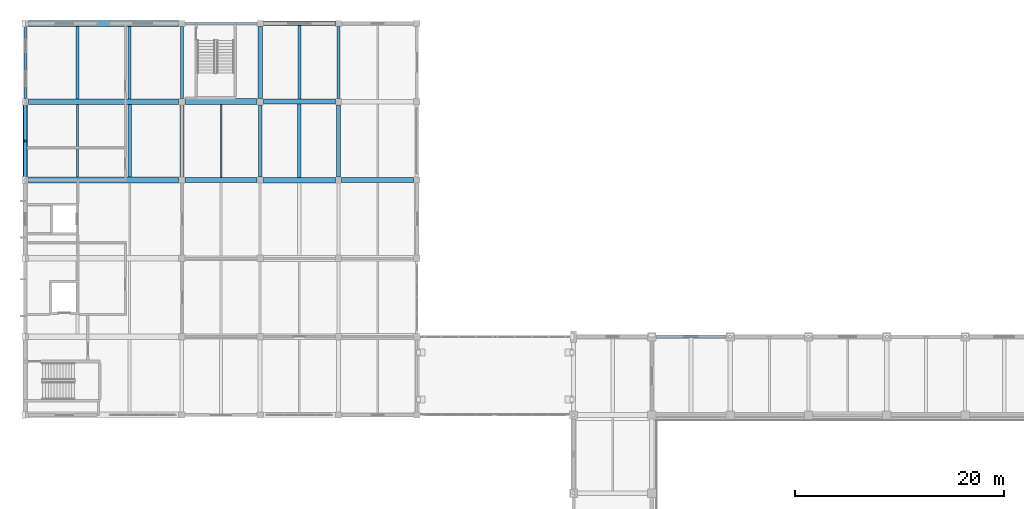
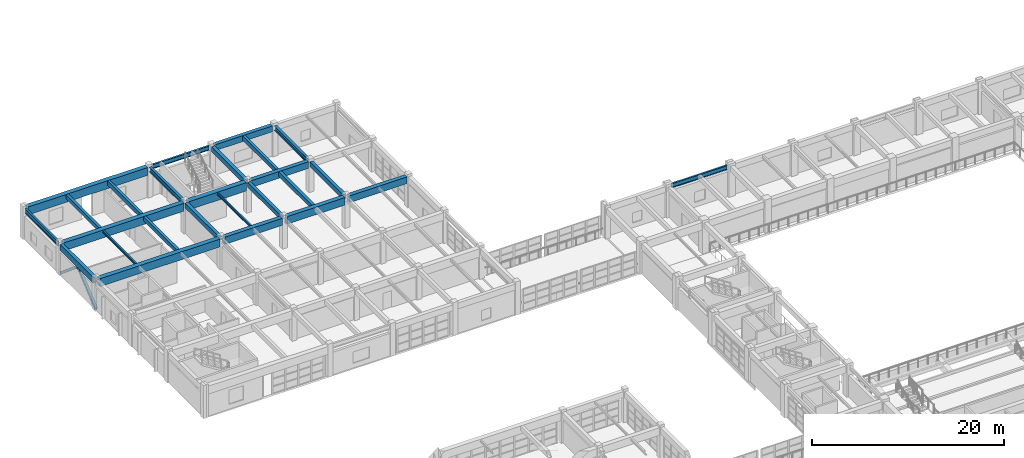
# One storey, part 50 of 124: 26 beams, 2 members.
"""IFC4 building model written with IfcOpenShell, lengths in metres."""

from ifc_helpers import new_model, si_unit, direction, frame, origin, origin_2d, place, context, subcontext, project, spatial, rectangle, i_section, extrude, material, material_profile, profile_set, type_object, element, save


model = new_model("IFC4")

# Units and contexts
model_context = context("Model", 3, precision=1e-05, world=origin(), true_north=direction((0.0, 1.0)))
body_context = subcontext(model_context, "Body", "Model", "MODEL_VIEW")
ifc_project = project(units=[si_unit("LENGTHUNIT", "METRE"), si_unit("AREAUNIT", "SQUARE_METRE"), si_unit("VOLUMEUNIT", "CUBIC_METRE"), si_unit("PLANEANGLEUNIT", "RADIAN"), si_unit("MASSUNIT", "GRAM", prefix="KILO")], contexts=[model_context])

# Site, building, storey
site_placement = place(None, origin())
site = spatial("IfcSite", under=ifc_project, at=site_placement, CompositionType="ELEMENT")
building_placement = place(site_placement, origin())
building = spatial("IfcBuilding", under=site, at=building_placement, Name="Qasida Concert Hall", CompositionType="ELEMENT")
storey_placement = place(building_placement, frame((0.0, 0.0, 9.0)))
storey = spatial("IfcBuildingStorey", under=building, at=storey_placement, Name="L02", CompositionType="ELEMENT", Elevation=9.0)

# Beams
ifc_material_1 = material(Name="Concrete C40/50", Category="concrete")
ifc_material_profile_1 = material_profile(ifc_material_1, rectangle(XDim=0.39990234375, YDim=0.64990234375, at=origin_2d()), Name="RC 400x650")
ifc_profile_set_1 = profile_set([ifc_material_profile_1], Name="Concrete C40/50")
beam_type_1 = type_object("IfcBeamType", Name="BM-B1", PredefinedType="BEAM", material=ifc_profile_set_1)
beam_1_placement = place(storey_placement, frame((22.5, 105.300048828125, 3.574951171875), z_axis=(0.0, 1.0, 0.0), x_axis=(-1.0, 0.0, 0.0)))
element("IfcBeam", 1, at=beam_1_placement, inside=storey, type_object=beam_type_1, Name="L02 girder 1476", PredefinedType="BEAM", context=body_context, shape_type="SweptSolid", body=[
    extrude(rectangle(XDim=0.39990234375, YDim=0.64990234375, at=origin_2d()), origin(), (0.0, 0.0, 1.0), 6.89990234375),
])
ifc_material_profile_2 = material_profile(ifc_material_1, rectangle(XDim=0.3798828125, YDim=0.6201171875, at=origin_2d()), Name="RC 380x620")
ifc_profile_set_2 = profile_set([ifc_material_profile_2], Name="Concrete C40/50")
beam_type_2 = type_object("IfcBeamType", Name="BM-B10", PredefinedType="BEAM", material=ifc_profile_set_2)
for number, where, z_axis, x_axis, name in (
    (2, (15.0, 97.800048828125, 3.590087890625), (0.0, 1.0, 0.0), (-1.0, 0.0, 0.0), "L02 girder 1470"),
    (3, (30.0, 97.800048828125, 3.590087890625), (0.0, 1.0, 0.0), (-1.0, 0.0, 0.0), "L02 girder 1480"),
):
    element("IfcBeam", number, at=place(storey_placement, frame(where, z_axis=z_axis, x_axis=x_axis)), inside=storey, type_object=beam_type_2, Name=name, PredefinedType="BEAM", context=body_context, shape_type="SweptSolid", body=[
        extrude(rectangle(XDim=0.3798828125, YDim=0.6201171875, at=origin_2d()), origin(), (0.0, 0.0, 1.0), 6.89990234375),
    ])
ifc_material_profile_3 = material_profile(ifc_material_1, rectangle(XDim=0.35009765625, YDim=0.60009765625, at=origin_2d()), Name="RC 350x600")
ifc_profile_set_3 = profile_set([ifc_material_profile_3], Name="Concrete C40/50")
beam_type_3 = type_object("IfcBeamType", Name="BM-B2", PredefinedType="BEAM", material=ifc_profile_set_3)
beam_2_placement = place(storey_placement, frame((22.5, 97.800048828125, 3.60009765625), z_axis=(0.0, 1.0, 0.0), x_axis=(-1.0, 0.0, 0.0)))
element("IfcBeam", 4, at=beam_2_placement, inside=storey, type_object=beam_type_3, Name="L02 girder 1475", PredefinedType="BEAM", context=body_context, shape_type="SweptSolid", body=[
    extrude(rectangle(XDim=0.35009765625, YDim=0.60009765625, at=origin_2d()), origin(), (0.0, 0.0, 1.0), 6.89990234375),
])
ifc_material_2 = material(Name="Steel S355J2", Category="steel")
ifc_material_profile_4 = material_profile(ifc_material_2, i_section(OverallWidth=0.300048828125, OverallDepth=0.60009765625, WebThickness=0.015380859375, FlangeThickness=0.030029296875, FilletRadius=0.027099609375, at=origin_2d()), Name="HEB 600")
ifc_profile_set_4 = profile_set([ifc_material_profile_4], Name="Steel S355J2")
beam_type_4 = type_object("IfcBeamType", Name="BM-B6", PredefinedType="BEAM", material=ifc_profile_set_4)
for number, where, z_axis, x_axis, name in (
    (5, (15.0, 105.300048828125, 3.60009765625), (0.0, 1.0, 0.0), (-1.0, 0.0, 0.0), "L02 girder 1471"),
    (6, (30.0, 105.300048828125, 3.60009765625), (0.0, 1.0, 0.0), (-1.0, 0.0, 0.0), "L02 girder 1481"),
):
    element("IfcBeam", number, at=place(storey_placement, frame(where, z_axis=z_axis, x_axis=x_axis)), inside=storey, type_object=beam_type_4, Name=name, PredefinedType="BEAM", context=body_context, shape_type="SweptSolid", body=[
        extrude(i_section(OverallWidth=0.300048828125, OverallDepth=0.60009765625, WebThickness=0.015380859375, FlangeThickness=0.030029296875, FilletRadius=0.027099609375, at=origin_2d()), origin(), (0.0, 0.0, 1.0), 6.89990234375),
    ])
ifc_material_profile_5 = material_profile(ifc_material_1, rectangle(XDim=0.5, YDim=0.89990234375, at=origin_2d()), Name="RC 500x900")
ifc_profile_set_5 = profile_set([ifc_material_profile_5], Name="Concrete C40/50")
beam_type_5 = type_object("IfcBeamType", Name="BM-G1", PredefinedType="USERDEFINED", material=ifc_profile_set_5)
beam_3_placement = place(storey_placement, frame((15.300048828125, 97.5, 3.449951171875), z_axis=(1.0, 0.0, 0.0), x_axis=(0.0, 1.0, 0.0)))
element("IfcBeam", 7, at=beam_3_placement, inside=storey, type_object=beam_type_5, Name="Primary girder 1451", ObjectType="GIRDER", PredefinedType="USERDEFINED", context=body_context, shape_type="SweptSolid", body=[
    extrude(rectangle(XDim=0.5, YDim=0.89990234375, at=origin_2d()), origin(), (0.0, 0.0, 1.0), 6.89990234375),
])
ifc_material_profile_6 = material_profile(ifc_material_1, rectangle(XDim=0.550048828125, YDim=1.0, at=origin_2d()), Name="RC 550x1000")
ifc_profile_set_6 = profile_set([ifc_material_profile_6], Name="Concrete C40/50")
beam_type_6 = type_object("IfcBeamType", Name="BM-G3", PredefinedType="USERDEFINED", material=ifc_profile_set_6)
for number, where, z_axis, x_axis, name in (
    (8, (0.300048828125, 97.5, 3.39990234375), (1.0, 0.0, 0.0), (0.0, 1.0, 0.0), "Primary girder 1450"),
    (9, (0.300048828125, 105.0, 3.39990234375), (1.0, 0.0, 0.0), (0.0, 1.0, 0.0), "Primary girder 1454"),
    (10, (0.300048828125, 112.5, 3.39990234375), (1.0, 0.0, 0.0), (0.0, 1.0, 0.0), "Primary girder 1458"),
):
    element("IfcBeam", number, at=place(storey_placement, frame(where, z_axis=z_axis, x_axis=x_axis)), inside=storey, type_object=beam_type_6, Name=name, ObjectType="GIRDER", PredefinedType="USERDEFINED", context=body_context, shape_type="SweptSolid", body=[
        extrude(rectangle(XDim=0.550048828125, YDim=1.0, at=origin_2d()), origin(), (0.0, 0.0, 1.0), 14.39990234375),
    ])
ifc_material_profile_7 = material_profile(ifc_material_1, rectangle(XDim=0.47998046875, YDim=0.85009765625, at=origin_2d()), Name="RC 480x850")
ifc_profile_set_7 = profile_set([ifc_material_profile_7], Name="Concrete C40/50")
beam_type_7 = type_object("IfcBeamType", Name="BM-G6", PredefinedType="USERDEFINED", material=ifc_profile_set_7)
for number, where, z_axis, x_axis, name in (
    (11, (30.300048828125, 97.5, 3.47509765625), (1.0, 0.0, 0.0), (0.0, 1.0, 0.0), "Primary girder 1453"),
    (12, (22.800048828125, 105.0, 3.47509765625), (1.0, 0.0, 0.0), (0.0, 1.0, 0.0), "Primary girder 1456"),
):
    element("IfcBeam", number, at=place(storey_placement, frame(where, z_axis=z_axis, x_axis=x_axis)), inside=storey, type_object=beam_type_7, Name=name, ObjectType="GIRDER", PredefinedType="USERDEFINED", context=body_context, shape_type="SweptSolid", body=[
        extrude(rectangle(XDim=0.47998046875, YDim=0.85009765625, at=origin_2d()), origin(), (0.0, 0.0, 1.0), 6.89990234375),
    ])
ifc_material_profile_8 = material_profile(ifc_material_1, rectangle(XDim=0.52001953125, YDim=0.949951171875, at=origin_2d()), Name="RC 520x950")
ifc_profile_set_8 = profile_set([ifc_material_profile_8], Name="Concrete C40/50")
beam_type_8 = type_object("IfcBeamType", Name="BM-G7", PredefinedType="USERDEFINED", material=ifc_profile_set_8)
beam_4_placement = place(storey_placement, frame((22.800048828125, 97.5, 3.425048828125), z_axis=(1.0, 0.0, 0.0), x_axis=(0.0, 1.0, 0.0)))
element("IfcBeam", 13, at=beam_4_placement, inside=storey, type_object=beam_type_8, Name="Primary girder 1452", ObjectType="GIRDER", PredefinedType="USERDEFINED", context=body_context, shape_type="SweptSolid", body=[
    extrude(rectangle(XDim=0.52001953125, YDim=0.949951171875, at=origin_2d()), origin(), (0.0, 0.0, 1.0), 6.89990234375),
])
ifc_material_3 = material(Name="Concrete C50/60", Category="concrete")
ifc_material_profile_9 = material_profile(ifc_material_3, rectangle(XDim=0.580078125, YDim=1.050048828125, at=origin_2d()), Name="RC 580x1050")
ifc_profile_set_9 = profile_set([ifc_material_profile_9], Name="Concrete C50/60")
beam_type_9 = type_object("IfcBeamType", Name="BM-G8", PredefinedType="USERDEFINED", material=ifc_profile_set_9)
beam_5_placement = place(storey_placement, frame((15.300048828125, 105.0, 3.375), z_axis=(1.0, 0.0, 0.0), x_axis=(0.0, 1.0, 0.0)))
element("IfcBeam", 14, at=beam_5_placement, inside=storey, type_object=beam_type_9, Name="Primary girder 1455", ObjectType="GIRDER", PredefinedType="USERDEFINED", context=body_context, shape_type="SweptSolid", body=[
    extrude(rectangle(XDim=0.580078125, YDim=1.050048828125, at=origin_2d()), origin(), (0.0, 0.0, 1.0), 6.89990234375),
])
ifc_material_profile_10 = material_profile(ifc_material_1, rectangle(XDim=0.300048828125, YDim=0.550048828125, at=origin_2d()), Name="RC 300x550")
ifc_profile_set_10 = profile_set([ifc_material_profile_10], Name="Concrete C40/50")
beam_type_10 = type_object("IfcBeamType", Name="BM-J1", PredefinedType="JOIST", material=ifc_profile_set_10)
beam_6_placement = place(storey_placement, frame((10.0, 105.27490234375, 3.625), z_axis=(0.0, 1.0, 0.0), x_axis=(-1.0, 0.0, 0.0)))
element("IfcBeam", 15, at=beam_6_placement, inside=storey, type_object=beam_type_10, Name="L02 secondary joist 1495", PredefinedType="JOIST", context=body_context, shape_type="SweptSolid", body=[
    extrude(rectangle(XDim=0.300048828125, YDim=0.550048828125, at=origin_2d()), origin(), (0.0, 0.0, 1.0), 6.9501953125),
])
beam_7_placement = place(storey_placement, frame((26.25, 105.239990234375, 3.625), z_axis=(0.0, 1.0, 0.0), x_axis=(-1.0, 0.0, 0.0)))
element("IfcBeam", 16, at=beam_7_placement, inside=storey, type_object=beam_type_10, Name="L02 secondary joist 1504", PredefinedType="JOIST", context=body_context, shape_type="SweptSolid", body=[
    extrude(rectangle(XDim=0.300048828125, YDim=0.550048828125, at=origin_2d()), origin(), (0.0, 0.0, 1.0), 7.034912109375),
])
ifc_material_profile_11 = material_profile(ifc_material_2, i_section(OverallWidth=0.14990234375, OverallDepth=0.300048828125, WebThickness=0.007080078125, FlangeThickness=0.0107421875, FilletRadius=0.014892578125, at=origin_2d()), Name="IPE 300")
ifc_profile_set_11 = profile_set([ifc_material_profile_11], Name="Steel S355J2")
beam_type_11 = type_object("IfcBeamType", Name="BM-J4", PredefinedType="JOIST", material=ifc_profile_set_11)
beam_8_placement = place(storey_placement, frame((18.75, 97.75, 3.75), z_axis=(0.0, 1.0, 0.0), x_axis=(-1.0, 0.0, 0.0)))
element("IfcBeam", 17, at=beam_8_placement, inside=storey, type_object=beam_type_11, Name="L02 secondary joist 1499", PredefinedType="JOIST", context=body_context, shape_type="SweptSolid", body=[
    extrude(i_section(OverallWidth=0.14990234375, OverallDepth=0.300048828125, WebThickness=0.007080078125, FlangeThickness=0.0107421875, FilletRadius=0.014892578125, at=origin_2d()), origin(), (0.0, 0.0, 1.0), 6.9599609375),
])
ifc_material_profile_12 = material_profile(ifc_material_2, i_section(OverallWidth=0.159912109375, OverallDepth=0.330078125, WebThickness=0.007568359375, FlangeThickness=0.011474609375, FilletRadius=0.01806640625, at=origin_2d()), Name="IPE 330")
ifc_profile_set_12 = profile_set([ifc_material_profile_12], Name="Steel S355J2")
beam_type_12 = type_object("IfcBeamType", Name="BM-J5", PredefinedType="JOIST", material=ifc_profile_set_12)
beam_9_placement = place(storey_placement, frame((5.0, 97.77490234375, 3.735107421875), z_axis=(0.0, 1.0, 0.0), x_axis=(-1.0, 0.0, 0.0)))
element("IfcBeam", 18, at=beam_9_placement, inside=storey, type_object=beam_type_12, Name="L02 secondary joist 1492", PredefinedType="JOIST", context=body_context, shape_type="SweptSolid", body=[
    extrude(i_section(OverallWidth=0.159912109375, OverallDepth=0.330078125, WebThickness=0.007568359375, FlangeThickness=0.011474609375, FilletRadius=0.01806640625, at=origin_2d()), origin(), (0.0, 0.0, 1.0), 6.9501953125),
])
ifc_material_profile_13 = material_profile(ifc_material_1, rectangle(XDim=0.320068359375, YDim=0.5, at=origin_2d()), Name="RC 320x500")
ifc_profile_set_13 = profile_set([ifc_material_profile_13], Name="Concrete C40/50")
beam_type_13 = type_object("IfcBeamType", Name="BM-J7", PredefinedType="JOIST", material=ifc_profile_set_13)
for number, where, z_axis, x_axis, name in (
    (19, (10.0, 97.77490234375, 3.64990234375), (0.0, 1.0, 0.0), (-1.0, 0.0, 0.0), "L02 secondary joist 1493"),
    (20, (5.0, 105.27490234375, 3.64990234375), (0.0, 1.0, 0.0), (-1.0, 0.0, 0.0), "L02 secondary joist 1494"),
):
    element("IfcBeam", number, at=place(storey_placement, frame(where, z_axis=z_axis, x_axis=x_axis)), inside=storey, type_object=beam_type_13, Name=name, PredefinedType="JOIST", context=body_context, shape_type="SweptSolid", body=[
        extrude(rectangle(XDim=0.320068359375, YDim=0.5, at=origin_2d()), origin(), (0.0, 0.0, 1.0), 6.9501953125),
    ])
ifc_material_profile_14 = material_profile(ifc_material_1, rectangle(XDim=0.35009765625, YDim=0.550048828125, at=origin_2d()), Name="RC 350x550")
ifc_profile_set_14 = profile_set([ifc_material_profile_14], Name="Concrete C40/50")
beam_type_14 = type_object("IfcBeamType", Name="BM-J8", PredefinedType="JOIST", material=ifc_profile_set_14)
beam_10_placement = place(storey_placement, frame((26.25, 97.760009765625, 3.625), z_axis=(0.0, 1.0, 0.0), x_axis=(-1.0, 0.0, 0.0)))
element("IfcBeam", 21, at=beam_10_placement, inside=storey, type_object=beam_type_14, Name="L02 secondary joist 1503", PredefinedType="JOIST", context=body_context, shape_type="SweptSolid", body=[
    extrude(rectangle(XDim=0.35009765625, YDim=0.550048828125, at=origin_2d()), origin(), (0.0, 0.0, 1.0), 7.0),
])
ifc_material_profile_15 = material_profile(ifc_material_1, rectangle(XDim=0.39990234375, YDim=0.75, at=origin_2d()), Name="RC 400x750")
ifc_profile_set_15 = profile_set([ifc_material_profile_15], Name="Concrete C40/50")
beam_type_15 = type_object("IfcBeamType", Name="BM-SP1", PredefinedType="SPANDREL", material=ifc_profile_set_15)
beam_11_placement = place(storey_placement, frame((0.0, 97.800048828125, 3.52490234375), z_axis=(0.0, 1.0, 0.0), x_axis=(-1.0, 0.0, 0.0)))
element("IfcBeam", 22, at=beam_11_placement, inside=storey, type_object=beam_type_15, Name="L02 girder 1465", PredefinedType="SPANDREL", context=body_context, shape_type="SweptSolid", body=[
    extrude(rectangle(XDim=0.39990234375, YDim=0.75, at=origin_2d()), origin(), (0.0, 0.0, 1.0), 6.89990234375),
])
ifc_material_profile_16 = material_profile(ifc_material_2, i_section(OverallWidth=0.2099609375, OverallDepth=0.550048828125, WebThickness=0.010986328125, FlangeThickness=0.01708984375, FilletRadius=0.02392578125, at=origin_2d()), Name="IPE 550")
ifc_profile_set_16 = profile_set([ifc_material_profile_16], Name="Steel S355J2")
beam_type_16 = type_object("IfcBeamType", Name="BM-SP2", PredefinedType="SPANDREL", material=ifc_profile_set_16)
beam_12_placement = place(storey_placement, frame((60.39990234375, 82.5, 3.625), z_axis=(1.0, 0.0, 0.0), x_axis=(0.0, 1.0, 0.0)))
element("IfcBeam", 23, at=beam_12_placement, inside=storey, type_object=beam_type_16, Name="Primary girder 1165", PredefinedType="SPANDREL", context=body_context, shape_type="SweptSolid", body=[
    extrude(i_section(OverallWidth=0.2099609375, OverallDepth=0.550048828125, WebThickness=0.010986328125, FlangeThickness=0.01708984375, FilletRadius=0.02392578125, at=origin_2d()), origin(), (0.0, 0.0, 1.0), 6.7001953125),
])
beam_13_placement = place(storey_placement, frame((15.300048828125, 112.5, 3.625), z_axis=(1.0, 0.0, 0.0), x_axis=(0.0, 1.0, 0.0)))
element("IfcBeam", 24, at=beam_13_placement, inside=storey, type_object=beam_type_16, Name="Primary girder 1459", PredefinedType="SPANDREL", context=body_context, shape_type="SweptSolid", body=[
    extrude(i_section(OverallWidth=0.2099609375, OverallDepth=0.550048828125, WebThickness=0.010986328125, FlangeThickness=0.01708984375, FilletRadius=0.02392578125, at=origin_2d()), origin(), (0.0, 0.0, 1.0), 6.89990234375),
])
ifc_material_profile_17 = material_profile(ifc_material_2, i_section(OverallWidth=0.219970703125, OverallDepth=0.60009765625, WebThickness=0.011962890625, FlangeThickness=0.01904296875, FilletRadius=0.02392578125, at=origin_2d()), Name="IPE 600")
ifc_profile_set_17 = profile_set([ifc_material_profile_17], Name="Steel S355J2")
beam_type_17 = type_object("IfcBeamType", Name="BM-SP3", PredefinedType="SPANDREL", material=ifc_profile_set_17)
beam_14_placement = place(storey_placement, frame((0.0, 105.300048828125, 3.60009765625), z_axis=(0.0, 1.0, 0.0), x_axis=(-1.0, 0.0, 0.0)))
element("IfcBeam", 25, at=beam_14_placement, inside=storey, type_object=beam_type_17, Name="L02 girder 1466", PredefinedType="SPANDREL", context=body_context, shape_type="SweptSolid", body=[
    extrude(i_section(OverallWidth=0.219970703125, OverallDepth=0.60009765625, WebThickness=0.011962890625, FlangeThickness=0.01904296875, FilletRadius=0.02392578125, at=origin_2d()), origin(), (0.0, 0.0, 1.0), 6.89990234375),
])
ifc_material_profile_18 = material_profile(ifc_material_1, rectangle(XDim=0.449951171875, YDim=0.75, at=origin_2d()), Name="RC 450x750")
ifc_profile_set_18 = profile_set([ifc_material_profile_18], Name="Concrete C40/50")
beam_type_18 = type_object("IfcBeamType", Name="BM-SP4", PredefinedType="SPANDREL", material=ifc_profile_set_18)
beam_15_placement = place(storey_placement, frame((22.800048828125, 112.5, 3.52490234375), z_axis=(1.0, 0.0, 0.0), x_axis=(0.0, 1.0, 0.0)))
element("IfcBeam", 26, at=beam_15_placement, inside=storey, type_object=beam_type_18, Name="Primary girder 1460", PredefinedType="SPANDREL", context=body_context, shape_type="SweptSolid", body=[
    extrude(rectangle(XDim=0.449951171875, YDim=0.75, at=origin_2d()), origin(), (0.0, 0.0, 1.0), 6.89990234375),
])

# Members
ifc_material_profile_19 = material_profile(ifc_material_2, i_section(OverallWidth=0.300048828125, OverallDepth=0.31005859375, WebThickness=0.009033203125, FlangeThickness=0.015380859375, FilletRadius=0.027099609375, at=origin_2d()), Name="HEA 320")
ifc_profile_set_19 = profile_set([ifc_material_profile_19], Name="Steel S355J2")
member_type = type_object("IfcMemberType", Name="MB-BR10", PredefinedType="BRACE", material=ifc_profile_set_19)
for number, where, z_axis, x_axis, name in (
    (27, (0.0, 97.5, 0.0), (0.0, 0.765714685296, 0.643180395162), (-1.0, 0.0, 0.0), "L02 chevron brace CBF-0061"),
    (28, (0.0, 105.0, 0.0), (0.0, -0.765714685296, 0.643180395162), (1.0, 0.0, 0.0), "L02 chevron brace CBF-0062"),
):
    element("IfcMember", number, at=place(storey_placement, frame(where, z_axis=z_axis, x_axis=x_axis)), inside=storey, type_object=member_type, Name=name, PredefinedType="BRACE", context=body_context, shape_type="SweptSolid", body=[
        extrude(i_section(OverallWidth=0.300048828125, OverallDepth=0.31005859375, WebThickness=0.009033203125, FlangeThickness=0.015380859375, FilletRadius=0.027099609375, at=origin_2d()), origin(), (0.0, 0.0, 1.0), 4.8974609375),
    ])

save(model, "model.ifc")
